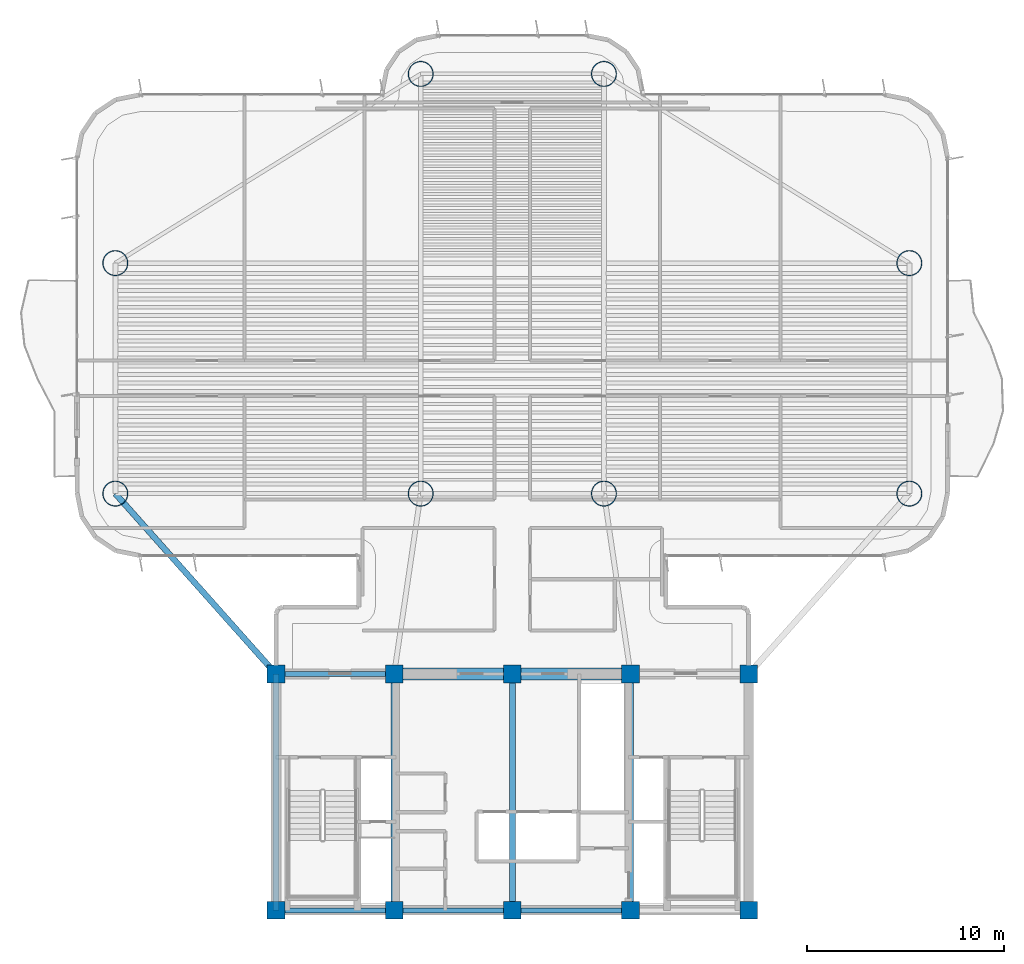
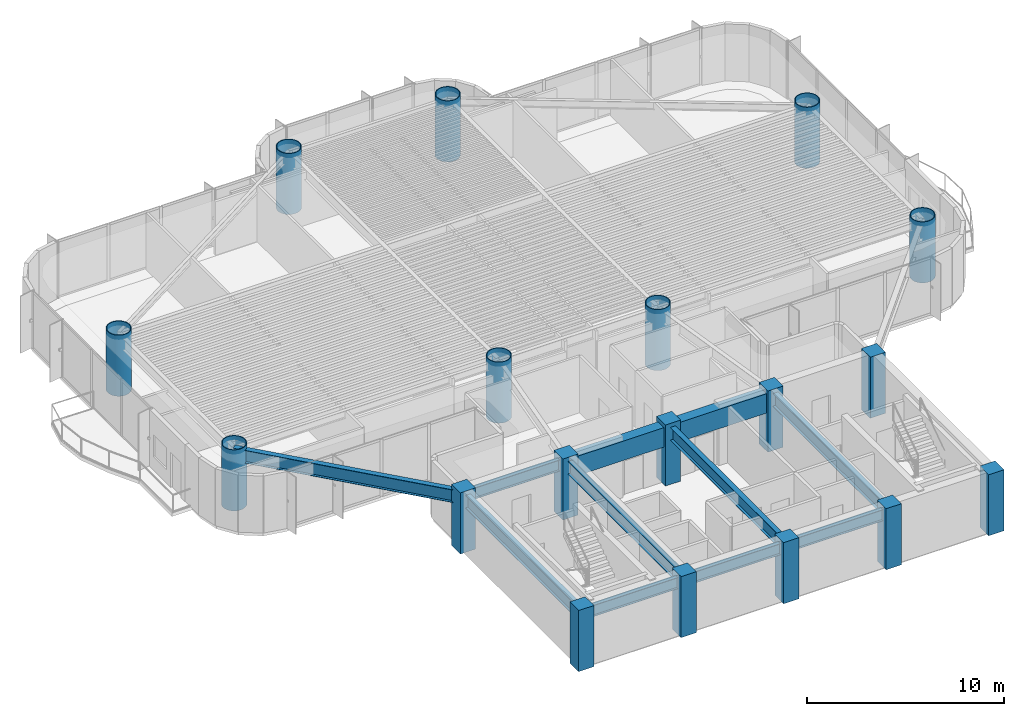
# One storey, part 1 of 16: 18 columns, 10 beams.
"""IFC4 building model written with IfcOpenShell, lengths in metres."""

from ifc_helpers import new_model, si_unit, direction, frame, origin, origin_2d, place, context, subcontext, project, spatial, rectangle, hollow_circle, i_section, extrude, source, transform, mapped, material, material_profile, profile_set, type_object, element, save


model = new_model("IFC4")

# Units and contexts
model_context = context("Model", 3, precision=1e-05, world=origin(), true_north=direction((0.0, 1.0)))
body_context = subcontext(model_context, "Body", "Model", "MODEL_VIEW")
ifc_project = project(units=[si_unit("LENGTHUNIT", "METRE"), si_unit("AREAUNIT", "SQUARE_METRE"), si_unit("VOLUMEUNIT", "CUBIC_METRE"), si_unit("PLANEANGLEUNIT", "RADIAN"), si_unit("MASSUNIT", "GRAM", prefix="KILO")], contexts=[model_context])

# Site, building, storey
site_placement = place(None, origin())
site = spatial("IfcSite", under=ifc_project, at=site_placement, CompositionType="ELEMENT")
building_placement = place(site_placement, origin())
building = spatial("IfcBuilding", under=site, at=building_placement, Name="Brelvock Crest Care Tower", CompositionType="ELEMENT")
storey_placement = place(building_placement, frame((0.0, 0.0, 116.280029296875)))
storey = spatial("IfcBuildingStorey", under=building, at=storey_placement, Name="L29", CompositionType="ELEMENT", Elevation=116.280029296875)

# Columns
ifc_material_1 = material(Name="Concrete S80 (80 MPa)", Category="concrete")
ifc_material_profile_1 = material_profile(ifc_material_1, rectangle(XDim=0.89990234375, YDim=0.89990234375, at=origin_2d()), Name="RC900x900")
ifc_profile_set_1 = profile_set([ifc_material_profile_1], Name="Concrete S80 (80 MPa)")
column_type_1 = type_object("IfcColumnType", Name="COL-RC2", PredefinedType="COLUMN", material=ifc_profile_set_1)
shared_shape_1 = source(origin(), body_context, "Body", "SweptSolid", [
    extrude(rectangle(XDim=0.89990234375, YDim=0.89990234375, at=origin_2d()), origin(), (0.0, 0.0, 1.0), 3.780029296875),
])
for number, where, z_axis, x_axis, name in (
    (1, (24.0, 6.0, 0.0), (0.0, 0.0, 1.0), (1.0, 0.0, 0.0), "L29 Core Column CC-01"),
    (2, (30.0, 6.0, 0.0), (0.0, 0.0, 1.0), (1.0, 0.0, 0.0), "L29 Core Column CC-02"),
    (3, (36.0, 6.0, 0.0), (0.0, 0.0, 1.0), (1.0, 0.0, 0.0), "L29 Core Column CC-03"),
    (4, (42.0, 6.0, 0.0), (0.0, 0.0, 1.0), (1.0, 0.0, 0.0), "L29 Core Column CC-04"),
    (5, (48.0, 6.0, 0.0), (0.0, 0.0, 1.0), (1.0, 0.0, 0.0), "L29 Core Column CC-05"),
    (6, (24.0, 18.0, 0.0), (0.0, 0.0, 1.0), (1.0, 0.0, 0.0), "L29 Core Column CC-06"),
    (7, (30.0, 18.0, 0.0), (0.0, 0.0, 1.0), (1.0, 0.0, 0.0), "L29 Core Column CC-07"),
    (8, (36.0, 18.0, 0.0), (0.0, 0.0, 1.0), (1.0, 0.0, 0.0), "L29 Core Column CC-08"),
    (9, (42.0, 18.0, 0.0), (0.0, 0.0, 1.0), (1.0, 0.0, 0.0), "L29 Core Column CC-09"),
    (10, (48.0, 18.0, 0.0), (0.0, 0.0, 1.0), (1.0, 0.0, 0.0), "L29 Core Column CC-10"),
):
    element("IfcColumn", number, at=place(storey_placement, frame(where, z_axis=z_axis, x_axis=x_axis)), inside=storey, type_object=column_type_1, Name=name, PredefinedType="COLUMN", context=body_context, shape_type="MappedRepresentation", body=[
        mapped(shared_shape_1, transform((0.0, 0.0, 0.0), x_axis=(1.0, 0.0, 0.0), y_axis=(0.0, 1.0, 0.0), z_axis=(0.0, 0.0, 1.0), scale=1.0)),
    ])
ifc_material_2 = material(Name="Steel Grade 350", Category="steel")
ifc_material_profile_2 = material_profile(ifc_material_2, hollow_circle(Radius=0.64990234375, WallThickness=0.044921875, at=origin_2d()), Name="CFT1300x45")
ifc_profile_set_2 = profile_set([ifc_material_profile_2], Name="Steel Grade 350")
column_type_2 = type_object("IfcColumnType", Name="COL-MC2", PredefinedType="COLUMN", material=ifc_profile_set_2)
shared_shape_2 = source(origin(), body_context, "Body", "SweptSolid", [
    extrude(hollow_circle(Radius=0.64990234375, WallThickness=0.044921875, at=origin_2d()), origin(), (0.0, 0.0, 1.0), 3.780029296875),
])
for number, where, z_axis, x_axis, name in (
    (11, (15.85009765625, 27.14990234375, 0.0), (0.0, 0.0, 1.0), (1.0, 0.0, 0.0), "L29 Tower Column M1"),
    (12, (15.85009765625, 38.85009765625, 0.0), (0.0, 0.0, 1.0), (1.0, 0.0, 0.0), "L29 Tower Column M2"),
    (13, (56.14990234375, 27.14990234375, 0.0), (0.0, 0.0, 1.0), (1.0, 0.0, 0.0), "L29 Tower Column M3"),
    (14, (56.14990234375, 38.85009765625, 0.0), (0.0, 0.0, 1.0), (1.0, 0.0, 0.0), "L29 Tower Column M4"),
    (15, (31.35009765625, 27.14990234375, 0.0), (0.0, 0.0, 1.0), (1.0, 0.0, 0.0), "L29 Tower Column M5"),
    (16, (40.64990234375, 27.14990234375, 0.0), (0.0, 0.0, 1.0), (1.0, 0.0, 0.0), "L29 Tower Column M6"),
    (17, (31.35009765625, 48.449951171875, 0.0), (0.0, 0.0, 1.0), (1.0, 0.0, 0.0), "L29 Tower Column M7"),
    (18, (40.64990234375, 48.449951171875, 0.0), (0.0, 0.0, 1.0), (1.0, 0.0, 0.0), "L29 Tower Column M8"),
):
    element("IfcColumn", number, at=place(storey_placement, frame(where, z_axis=z_axis, x_axis=x_axis)), inside=storey, type_object=column_type_2, Name=name, PredefinedType="COLUMN", context=body_context, shape_type="MappedRepresentation", body=[
        mapped(shared_shape_2, transform((0.0, 0.0, 0.0), x_axis=(1.0, 0.0, 0.0), y_axis=(0.0, 1.0, 0.0), z_axis=(0.0, 0.0, 1.0), scale=1.0)),
    ])

# Beams
ifc_material_profile_3 = material_profile(ifc_material_1, rectangle(XDim=0.60009765625, YDim=1.199951171875, at=origin_2d()), Name="RC600x1200")
ifc_profile_set_3 = profile_set([ifc_material_profile_3], Name="Concrete S80 (80 MPa)")
beam_type_1 = type_object("IfcBeamType", Name="BM-LN1", PredefinedType="LINTEL", material=ifc_profile_set_3)
shared_shape_3 = source(origin(), body_context, "Body", "SweptSolid", [
    extrude(rectangle(XDim=0.60009765625, YDim=1.199951171875, at=origin_2d()), origin(), (0.0, 0.0, 1.0), 12.0),
])
beam_1_placement = place(storey_placement, frame((30.0, 18.0, 2.929931640625), z_axis=(1.0, 0.0, 0.0), x_axis=(0.0, 1.0, 0.0)))
element("IfcBeam", 19, at=beam_1_placement, inside=storey, type_object=beam_type_1, Name="L29 Core Coupling Lintel Beam", PredefinedType="LINTEL", context=body_context, shape_type="MappedRepresentation", body=[
    mapped(shared_shape_3, transform((0.0, 0.0, 0.0), x_axis=(1.0, 0.0, 0.0), y_axis=(0.0, 1.0, 0.0), z_axis=(0.0, 0.0, 1.0), scale=1.0)),
])
ifc_material_profile_4 = material_profile(ifc_material_2, i_section(OverallWidth=0.25, OverallDepth=0.699951171875, WebThickness=0.011962890625, FlangeThickness=0.02001953125, at=origin_2d()), Name="700WB150")
ifc_profile_set_4 = profile_set([ifc_material_profile_4], Name="Steel Grade 350")
beam_type_2 = type_object("IfcBeamType", Name="BM-G4", PredefinedType="BEAM", material=ifc_profile_set_4)
shared_shape_4 = source(origin(), body_context, "Body", "SweptSolid", [
    extrude(i_section(OverallWidth=0.25, OverallDepth=0.699951171875, WebThickness=0.011962890625, FlangeThickness=0.02001953125, at=origin_2d()), origin(), (0.0, 0.0, 1.0), 6.0),
])
for number, where, z_axis, x_axis, name in (
    (20, (24.0, 6.0, 3.179931640625), (1.0, 0.0, 0.0), (0.0, 1.0, 0.0), "BM-CORES-L29-1"),
    (21, (24.0, 18.0, 3.179931640625), (1.0, 0.0, 0.0), (0.0, 1.0, 0.0), "BM-COREN-L29-1"),
    (22, (30.0, 6.0, 3.179931640625), (1.0, 0.0, 0.0), (0.0, 1.0, 0.0), "BM-CORES-L29-2"),
    (23, (36.0, 6.0, 3.179931640625), (1.0, 0.0, 0.0), (0.0, 1.0, 0.0), "BM-CORES-L29-3"),
):
    element("IfcBeam", number, at=place(storey_placement, frame(where, z_axis=z_axis, x_axis=x_axis)), inside=storey, type_object=beam_type_2, Name=name, PredefinedType="BEAM", context=body_context, shape_type="MappedRepresentation", body=[
        mapped(shared_shape_4, transform((0.0, 0.0, 0.0), x_axis=(1.0, 0.0, 0.0), y_axis=(0.0, 1.0, 0.0), z_axis=(0.0, 0.0, 1.0), scale=1.0)),
    ])
ifc_material_profile_5 = material_profile(ifc_material_2, i_section(OverallWidth=0.300048828125, OverallDepth=0.800048828125, WebThickness=0.013916015625, FlangeThickness=0.02197265625, at=origin_2d()), Name="800WB192")
ifc_profile_set_5 = profile_set([ifc_material_profile_5], Name="Steel Grade 350")
beam_type_3 = type_object("IfcBeamType", Name="BM-G5", PredefinedType="BEAM", material=ifc_profile_set_5)
shared_shape_5 = source(origin(), body_context, "Body", "SweptSolid", [
    extrude(i_section(OverallWidth=0.300048828125, OverallDepth=0.800048828125, WebThickness=0.013916015625, FlangeThickness=0.02197265625, at=origin_2d()), origin(), (0.0, 0.0, 1.0), 12.0),
])
for number, where, z_axis, x_axis, name in (
    (24, (24.0, 6.0, 3.1298828125), (0.0, 1.0, 0.0), (-1.0, 0.0, 0.0), "BM-COREX-L29-1"),
    (25, (30.0, 6.0, 3.1298828125), (0.0, 1.0, 0.0), (-1.0, 0.0, 0.0), "BM-COREX-L29-2"),
    (26, (36.0, 6.0, 3.1298828125), (0.0, 1.0, 0.0), (-1.0, 0.0, 0.0), "BM-COREX-L29-3"),
    (27, (42.0, 6.0, 3.1298828125), (0.0, 1.0, 0.0), (-1.0, 0.0, 0.0), "BM-COREX-L29-4"),
):
    element("IfcBeam", number, at=place(storey_placement, frame(where, z_axis=z_axis, x_axis=x_axis)), inside=storey, type_object=beam_type_3, Name=name, PredefinedType="BEAM", context=body_context, shape_type="MappedRepresentation", body=[
        mapped(shared_shape_5, transform((0.0, 0.0, 0.0), x_axis=(1.0, 0.0, 0.0), y_axis=(0.0, 1.0, 0.0), z_axis=(0.0, 0.0, 1.0), scale=1.0)),
    ])
shared_shape_6 = source(origin(), body_context, "Body", "SweptSolid", [
    extrude(i_section(OverallWidth=0.300048828125, OverallDepth=0.800048828125, WebThickness=0.013916015625, FlangeThickness=0.02197265625, at=origin_2d()), origin(), (0.0, 0.0, 1.0), 12.253173828125),
])
beam_2_placement = place(storey_placement, frame((24.0, 18.0, 3.1298828125), z_axis=(-0.665122829149, 0.746733970129, 0.0), x_axis=(-0.746733970129, -0.665122829149, 0.0)))
element("IfcBeam", 28, at=beam_2_placement, inside=storey, type_object=beam_type_3, Name="BM-THRO-W-L29", PredefinedType="BEAM", context=body_context, shape_type="MappedRepresentation", body=[
    mapped(shared_shape_6, transform((0.0, 0.0, 0.0), x_axis=(1.0, 0.0, 0.0), y_axis=(0.0, 1.0, 0.0), z_axis=(0.0, 0.0, 1.0), scale=1.0)),
])

save(model, "model.ifc")
